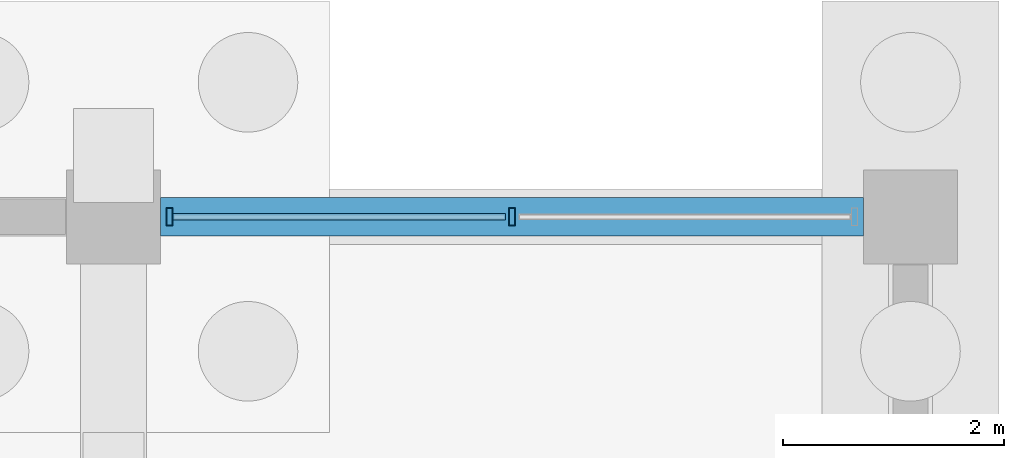
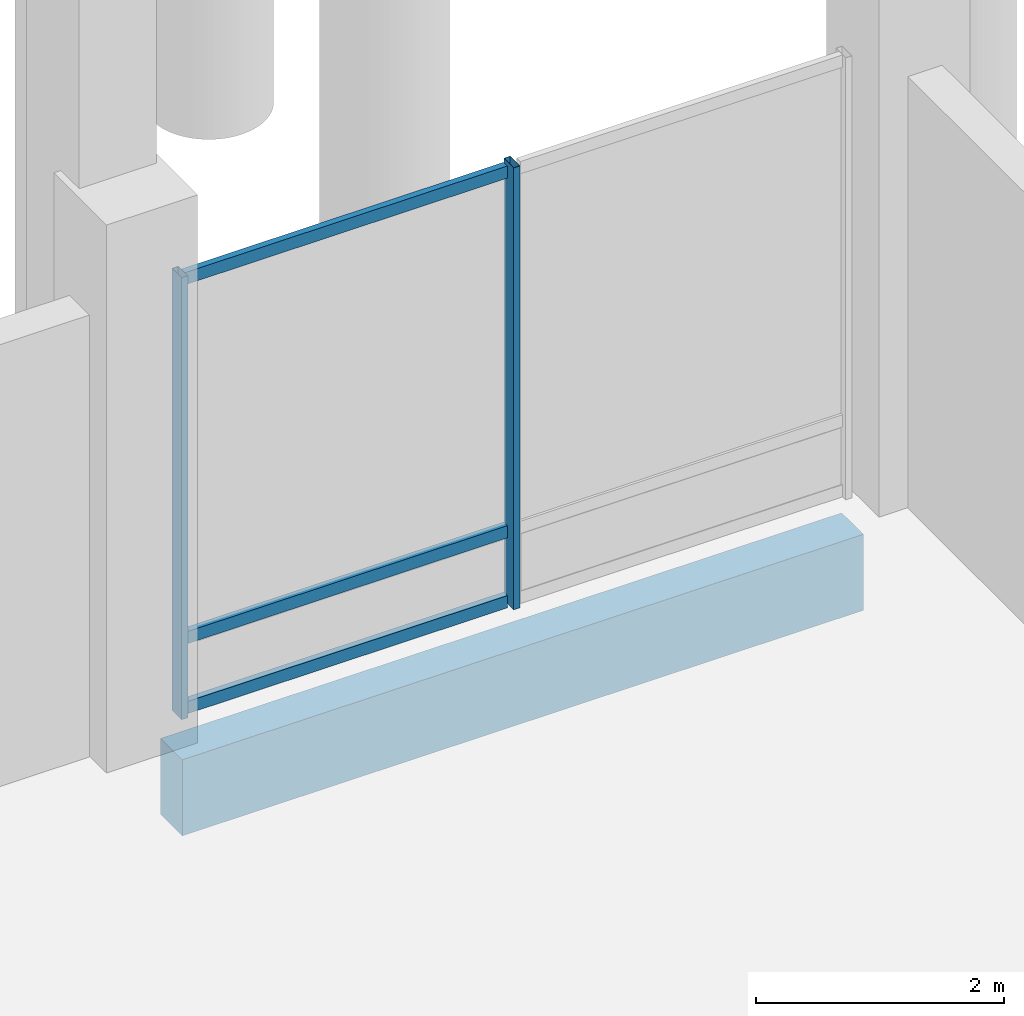
# One storey, part 59 of 192: 5 members, 1 beam, 1 element without a shape of its own.
"""IFC4 building model written with IfcOpenShell, lengths in metres."""

from ifc_helpers import new_model, si_unit, direction, frame, origin, origin_2d, place, context, subcontext, project, spatial, rectangle, hollow_rectangle, extrude, material, material_profile, profile_set, type_object, element, aggregate, save


model = new_model("IFC4")

# Units and contexts
model_context = context("Model", 3, precision=1e-05, world=origin(), true_north=direction((0.0, 1.0)))
body_context = subcontext(model_context, "Body", "Model", "MODEL_VIEW")
ifc_project = project(units=[si_unit("LENGTHUNIT", "METRE"), si_unit("AREAUNIT", "SQUARE_METRE"), si_unit("VOLUMEUNIT", "CUBIC_METRE"), si_unit("PLANEANGLEUNIT", "RADIAN"), si_unit("MASSUNIT", "GRAM", prefix="KILO")], contexts=[model_context])

# Site, building, storey
site_placement = place(None, origin())
site = spatial("IfcSite", under=ifc_project, at=site_placement, CompositionType="ELEMENT")
building_placement = place(site_placement, origin())
building = spatial("IfcBuilding", under=site, at=building_placement, Name="Cendralis Lancet Convention Centre", CompositionType="ELEMENT")
storey_placement = place(building_placement, origin())
storey = spatial("IfcBuildingStorey", under=building, at=storey_placement, Name="L00", CompositionType="ELEMENT", Elevation=0.0)

# Curtain wall, members
ifc_material_1 = material(Name="Anodised bronze architectural aluminium", Category="aluminium")
curtain_wall_type = type_object("IfcCurtainWallType", Name="ARC-CW-CL01", PredefinedType="USERDEFINED", material=ifc_material_1)
curtain_wall_placement = place(storey_placement, origin())
curtain_wall = element("IfcCurtainWall", 1, at=curtain_wall_placement, inside=storey, type_object=curtain_wall_type, Name="L00 Curtain Wall CW-CL1 #165", ObjectType="CURTAIN WALL", PredefinedType="USERDEFINED")
ifc_material_profile_1 = material_profile(ifc_material_1, hollow_rectangle(XDim=0.06005859375, YDim=0.159912109375, WallThickness=0.00390625, at=origin_2d()), Name="AL-MULL 60x160x4.0")
ifc_profile_set_1 = profile_set([ifc_material_profile_1], Name="Anodised bronze architectural aluminium")
member_type_1 = type_object("IfcMemberType", Name="ARC-CW-ML01", PredefinedType="MULLION", material=ifc_profile_set_1)
member_1_placement = place(storey_placement, frame((122.905029296875, 36.0, 0.0), z_axis=(0.0, 0.0, 1.0), x_axis=(1.0, 0.0, 0.0)))
member_1 = element("IfcMember", 2, at=member_1_placement, type_object=member_type_1, Name="Mullion CW2-CW-CL1-L00-165-M0", PredefinedType="MULLION", context=body_context, shape_type="SweptSolid", body=[
    extrude(hollow_rectangle(XDim=0.06005859375, YDim=0.159912109375, WallThickness=0.00390625, at=origin_2d()), origin(), (0.0, 0.0, 1.0), 4.35498046875),
])
member_2_placement = place(storey_placement, frame((126.0, 36.0, 0.0), z_axis=(0.0, 0.0, 1.0), x_axis=(1.0, 0.0, 0.0)))
member_2 = element("IfcMember", 3, at=member_2_placement, type_object=member_type_1, Name="Mullion CW2-CW-CL1-L00-165-M1", PredefinedType="MULLION", context=body_context, shape_type="SweptSolid", body=[
    extrude(hollow_rectangle(XDim=0.06005859375, YDim=0.159912109375, WallThickness=0.00390625, at=origin_2d()), origin(), (0.0, 0.0, 1.0), 4.35498046875),
])
ifc_material_profile_2 = material_profile(ifc_material_1, hollow_rectangle(XDim=0.06005859375, YDim=0.1201171875, WallThickness=0.00390625, at=origin_2d()), Name="AL-TRAN 60x120x4.0")
ifc_profile_set_2 = profile_set([ifc_material_profile_2], Name="Anodised bronze architectural aluminium")
member_type_2 = type_object("IfcMemberType", Name="ARC-CW-TR01", PredefinedType="USERDEFINED", material=ifc_profile_set_2)
member_3_placement = place(storey_placement, frame((122.93505859375, 36.0, 0.06005859375), z_axis=(1.0, 0.0, 0.0), x_axis=(0.0, 1.0, 0.0)))
member_3 = element("IfcMember", 4, at=member_3_placement, type_object=member_type_2, Name="Transom CW2-CW-CL1-L00-165-T0BOT", ObjectType="TRANSOM", PredefinedType="USERDEFINED", context=body_context, shape_type="SweptSolid", body=[
    extrude(hollow_rectangle(XDim=0.06005859375, YDim=0.1201171875, WallThickness=0.00390625, at=origin_2d()), origin(), (0.0, 0.0, 1.0), 3.0048828125),
])
member_4_placement = place(storey_placement, frame((122.93505859375, 36.0, 0.75), z_axis=(1.0, 0.0, 0.0), x_axis=(0.0, 1.0, 0.0)))
member_4 = element("IfcMember", 5, at=member_4_placement, type_object=member_type_2, Name="Transom CW2-CW-CL1-L00-165-T0MID", ObjectType="TRANSOM", PredefinedType="USERDEFINED", context=body_context, shape_type="SweptSolid", body=[
    extrude(hollow_rectangle(XDim=0.06005859375, YDim=0.1201171875, WallThickness=0.00390625, at=origin_2d()), origin(), (0.0, 0.0, 1.0), 3.0048828125),
])
member_5_placement = place(storey_placement, frame((122.93505859375, 36.0, 4.294921875), z_axis=(1.0, 0.0, 0.0), x_axis=(0.0, 1.0, 0.0)))
member_5 = element("IfcMember", 6, at=member_5_placement, type_object=member_type_2, Name="Transom CW2-CW-CL1-L00-165-T0TOP", ObjectType="TRANSOM", PredefinedType="USERDEFINED", context=body_context, shape_type="SweptSolid", body=[
    extrude(hollow_rectangle(XDim=0.06005859375, YDim=0.1201171875, WallThickness=0.00390625, at=origin_2d()), origin(), (0.0, 0.0, 1.0), 3.0048828125),
])
aggregate(curtain_wall, [member_1, member_2, member_3, member_4, member_5])

# Beam
ifc_material_2 = material(Name="Concrete G40 (C40/50)", Category="concrete")
ifc_material_profile_3 = material_profile(ifc_material_2, rectangle(XDim=0.35009765625, YDim=0.75, at=origin_2d()), Name="RCB 350x750")
ifc_profile_set_3 = profile_set([ifc_material_profile_3], Name="Concrete G40 (C40/50)")
beam_type = type_object("IfcBeamType", Name="STR-SP-SP01", PredefinedType="SPANDREL", material=ifc_profile_set_3)
beam_placement = place(storey_placement, frame((122.824951171875, 36.0, -0.695068359375), z_axis=(1.0, 0.0, 0.0), x_axis=(0.0, 1.0, 0.0)))
element("IfcBeam", 7, at=beam_placement, inside=storey, type_object=beam_type, Name="L00 Beam SP01 #0691", PredefinedType="SPANDREL", context=body_context, shape_type="SweptSolid", body=[
    extrude(rectangle(XDim=0.35009765625, YDim=0.75, at=origin_2d()), origin(), (0.0, 0.0, 1.0), 6.35009765625),
])

save(model, "model.ifc")
